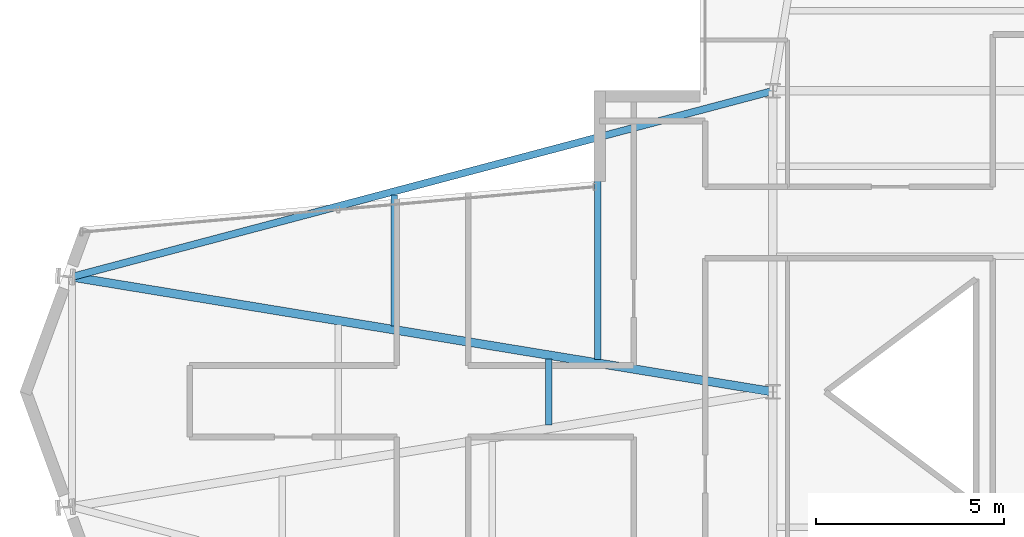
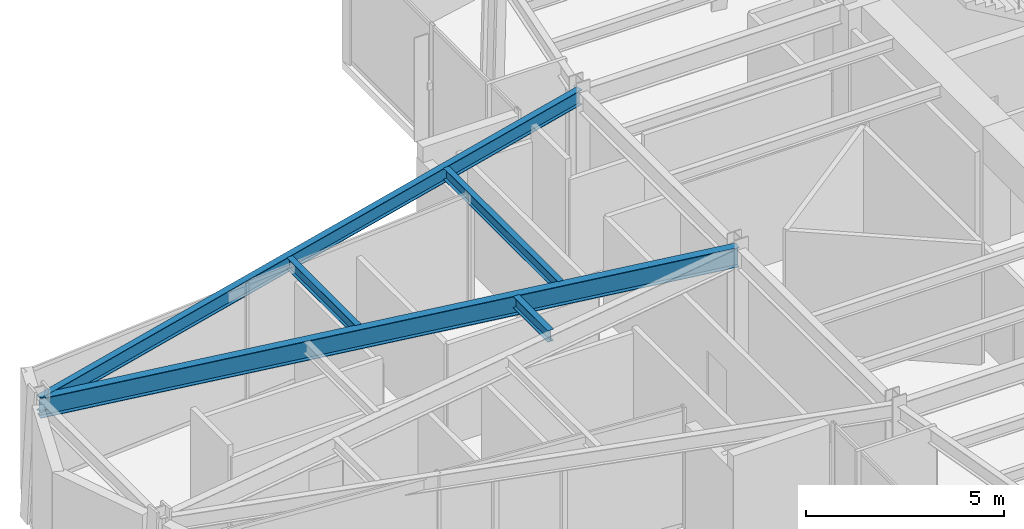
# One storey, part 10 of 23: 5 beams.
"""IFC4 building model written with IfcOpenShell, lengths in metres."""

from ifc_helpers import new_model, si_unit, direction, frame, origin, origin_2d, place, context, subcontext, project, spatial, i_section, extrude, material, material_profile, profile_set, type_object, element, save


model = new_model("IFC4")

# Units and contexts
model_context = context("Model", 3, precision=1e-05, world=origin(), true_north=direction((0.0, 1.0)))
body_context = subcontext(model_context, "Body", "Model", "MODEL_VIEW")
ifc_project = project(units=[si_unit("LENGTHUNIT", "METRE"), si_unit("AREAUNIT", "SQUARE_METRE"), si_unit("VOLUMEUNIT", "CUBIC_METRE"), si_unit("PLANEANGLEUNIT", "RADIAN"), si_unit("MASSUNIT", "GRAM", prefix="KILO")], contexts=[model_context])

# Site, building, storey
site_placement = place(None, origin())
site = spatial("IfcSite", under=ifc_project, at=site_placement, CompositionType="ELEMENT")
building_placement = place(site_placement, origin())
building = spatial("IfcBuilding", under=site, at=building_placement, Name="Veymaron Broadcast Tower", CompositionType="ELEMENT")
storey_placement = place(building_placement, frame((0.0, 0.0, 177.60009765625)))
storey = spatial("IfcBuildingStorey", under=building, at=storey_placement, Name="L41", CompositionType="ELEMENT", Elevation=177.60009765625)

# Beams
ifc_material = material(Name="Structural steel ASTM A992 Gr 50", Category="steel")
ifc_material_profile_1 = material_profile(ifc_material, i_section(OverallWidth=0.22802734375, OverallDepth=0.60791015625, WebThickness=0.01123046875, FlangeThickness=0.017333984375, at=origin_2d()), Name="W610X113")
ifc_profile_set_1 = profile_set([ifc_material_profile_1], Name="Structural steel ASTM A992 Gr 50")
beam_type_1 = type_object("IfcBeamType", Name="BM-FG2", PredefinedType="BEAM", material=ifc_profile_set_1)
beam_1_placement = place(storey_placement, frame((12.56103515625, 27.054931640625, 3.42578125), z_axis=(0.986832975688, -0.161742629181, 0.0), x_axis=(0.161742629181, 0.986832975688, 0.0)))
element("IfcBeam", 1, at=beam_1_placement, inside=storey, type_object=beam_type_1, Name="L41 primary structural floor girder", PredefinedType="BEAM", context=body_context, shape_type="SweptSolid", body=[
    extrude(i_section(OverallWidth=0.22802734375, OverallDepth=0.60791015625, WebThickness=0.01123046875, FlangeThickness=0.017333984375, at=origin_2d()), origin(), (0.0, 0.0, 1.0), 18.8876953125),
])
ifc_material_profile_2 = material_profile(ifc_material, i_section(OverallWidth=0.1708984375, OverallDepth=0.35498046875, WebThickness=0.007080078125, FlangeThickness=0.01171875, at=origin_2d()), Name="W360X51")
ifc_profile_set_2 = profile_set([ifc_material_profile_2], Name="Structural steel ASTM A992 Gr 50")
beam_type_2 = type_object("IfcBeamType", Name="BM-JS2", PredefinedType="JOIST", material=ifc_profile_set_2)
beam_2_placement = place(storey_placement, frame((21.135009765625, 25.749755859375, 3.552490234375), z_axis=(0.0, 1.0, 0.0), x_axis=(-1.0, 0.0, 0.0)))
element("IfcBeam", 2, at=beam_2_placement, inside=storey, type_object=beam_type_2, Name="L41 Arm-A secondary joist 1N", PredefinedType="JOIST", context=body_context, shape_type="SweptSolid", body=[
    extrude(i_section(OverallWidth=0.1708984375, OverallDepth=0.35498046875, WebThickness=0.007080078125, FlangeThickness=0.01171875, at=origin_2d()), origin(), (0.0, 0.0, 1.0), 3.47998046875),
])
beam_3_placement = place(storey_placement, frame((25.235595703125, 23.122314453125, 3.552490234375), z_axis=(0.0, 1.0, 0.0), x_axis=(-1.0, 0.0, 0.0)))
element("IfcBeam", 3, at=beam_3_placement, inside=storey, type_object=beam_type_2, Name="L41 Arm-A secondary joist 2M", PredefinedType="JOIST", context=body_context, shape_type="SweptSolid", body=[
    extrude(i_section(OverallWidth=0.1708984375, OverallDepth=0.35498046875, WebThickness=0.007080078125, FlangeThickness=0.01171875, at=origin_2d()), origin(), (0.0, 0.0, 1.0), 1.75537109375),
])
beam_4_placement = place(storey_placement, frame((26.540283203125, 24.86376953125, 3.552490234375), z_axis=(0.0, 1.0, 0.0), x_axis=(-1.0, 0.0, 0.0)))
element("IfcBeam", 4, at=beam_4_placement, inside=storey, type_object=beam_type_2, Name="L41 Arm-A secondary joist 2N", PredefinedType="JOIST", context=body_context, shape_type="SweptSolid", body=[
    extrude(i_section(OverallWidth=0.1708984375, OverallDepth=0.35498046875, WebThickness=0.007080078125, FlangeThickness=0.01171875, at=origin_2d()), origin(), (0.0, 0.0, 1.0), 5.800048828125),
])
ifc_material_profile_3 = material_profile(ifc_material, i_section(OverallWidth=0.19091796875, OverallDepth=0.4599609375, WebThickness=0.010009765625, FlangeThickness=0.01611328125, at=origin_2d()), Name="W460X82")
ifc_profile_set_3 = profile_set([ifc_material_profile_3], Name="Structural steel ASTM A992 Gr 50")
beam_type_3 = type_object("IfcBeamType", Name="BM-SP1", PredefinedType="SPANDREL", material=ifc_profile_set_3)
beam_5_placement = place(storey_placement, frame((12.56103515625, 27.054931640625, 3.5), z_axis=(0.966560917448, 0.256437112881, 0.0), x_axis=(-0.256437112881, 0.966560917448, 0.0)))
element("IfcBeam", 5, at=beam_5_placement, inside=storey, type_object=beam_type_3, Name="L41 primary structural floor girder", PredefinedType="SPANDREL", context=body_context, shape_type="SweptSolid", body=[
    extrude(i_section(OverallWidth=0.19091796875, OverallDepth=0.4599609375, WebThickness=0.010009765625, FlangeThickness=0.01611328125, at=origin_2d()), origin(), (0.0, 0.0, 1.0), 19.28369140625),
])

save(model, "model.ifc")
